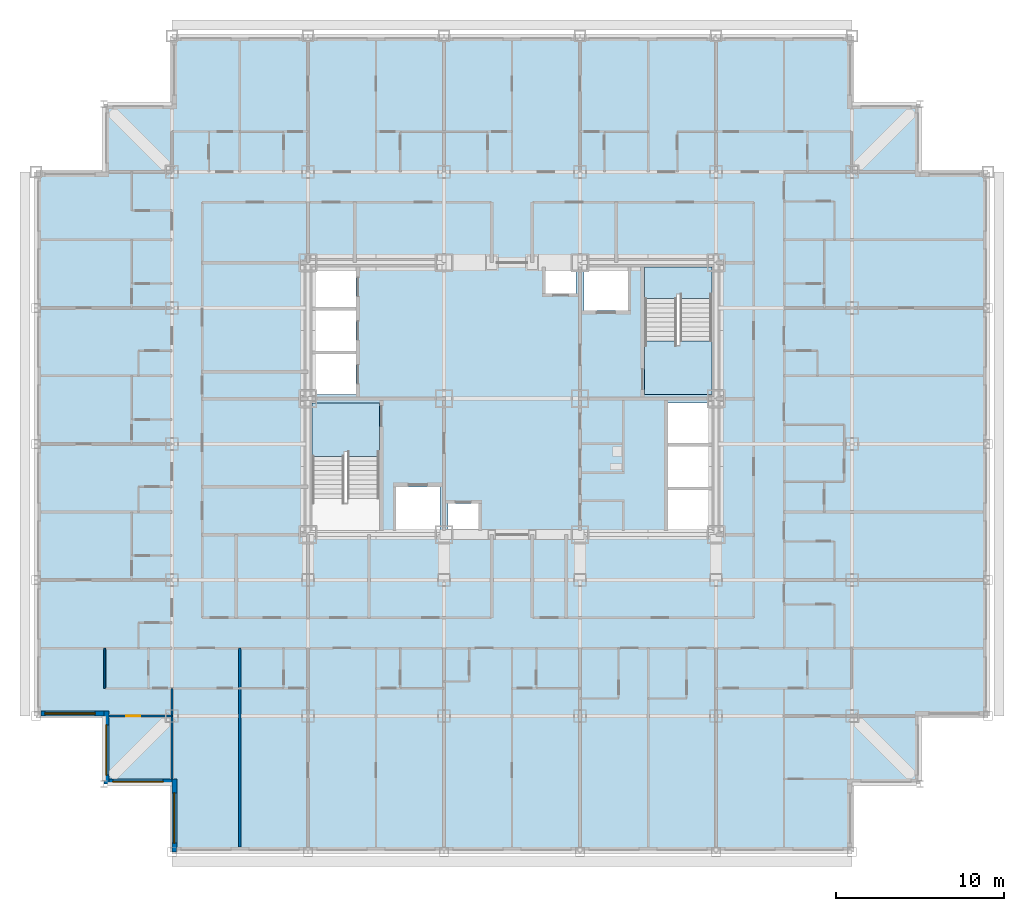
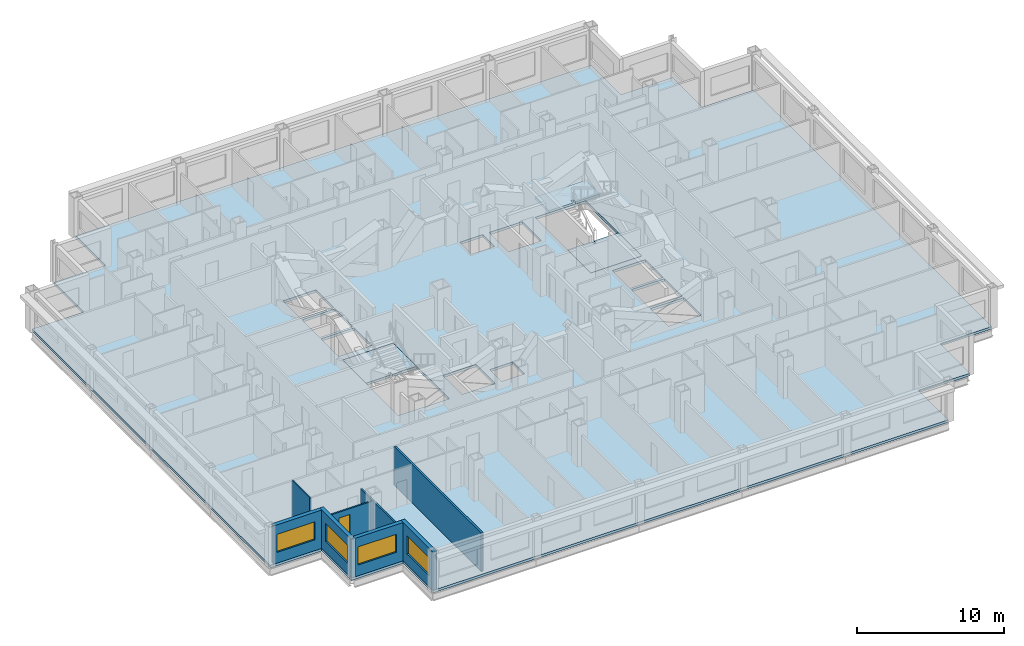
# One storey, part 3 of 15: 8 walls, 4 slabs, 4 windows, 1 door, 5 openings, 2 elements without a shape of their own.
"""IFC4 building model written with IfcOpenShell, lengths in metres."""

from ifc_helpers import new_model, si_unit, direction, frame, frame_2d, origin, place, context, subcontext, project, spatial, polyline, rectangle, outline, extrude, material, layer, layer_set, type_object, element, fill, aggregate, save


model = new_model("IFC4")

# Units and contexts
model_context = context("Model", 3, precision=1e-05, world=origin(), true_north=direction((0.0, 1.0)))
body_context = subcontext(model_context, "Body", "Model", "MODEL_VIEW")
ifc_project = project(units=[si_unit("LENGTHUNIT", "METRE"), si_unit("AREAUNIT", "SQUARE_METRE"), si_unit("VOLUMEUNIT", "CUBIC_METRE"), si_unit("PLANEANGLEUNIT", "RADIAN"), si_unit("MASSUNIT", "GRAM", prefix="KILO")], contexts=[model_context])

# Site, building, storey
site_placement = place(None, origin())
site = spatial("IfcSite", under=ifc_project, at=site_placement, CompositionType="ELEMENT")
building_placement = place(site_placement, origin())
building = spatial("IfcBuilding", under=site, at=building_placement, Name="Kopane Lantern Tower", CompositionType="ELEMENT")
storey_placement = place(building_placement, frame((0.0, 0.0, 140.800048828125)))
storey = spatial("IfcBuildingStorey", under=building, at=storey_placement, Name="L36", CompositionType="ELEMENT", Elevation=140.800048828125)

# Slab
ifc_material_1 = material(Name="Concrete C40/50", Category="concrete")
ifc_layer_1 = layer(ifc_material_1, 0.2099609375)
ifc_layer_set_1 = layer_set([ifc_layer_1], Name="SLAB 210 COMPOSITE")
slab_type_1 = type_object("IfcSlabType", Name="SLAB 210 COMPOSITE", PredefinedType="FLOOR", material=ifc_layer_set_1)
slab_1_placement = place(storey_placement, frame((0.0, 0.0, -0.2099609375)))
element("IfcSlab", 1, at=slab_1_placement, inside=storey, type_object=slab_type_1, Name="Floor slab L36", PredefinedType="FLOOR", context=body_context, shape_type="SweptSolid", body=[
    extrude(outline(polyline([(8.10009765625, 5.39990234375), (48.60009765625, 5.39990234375), (48.60009765625, 9.449951171875), (52.64990234375, 9.449951171875), (52.64990234375, 13.5), (56.699951171875, 13.5), (56.699951171875, 45.89990234375), (52.64990234375, 45.89990234375), (52.64990234375, 49.949951171875), (48.60009765625, 49.949951171875), (48.60009765625, 54.0), (8.10009765625, 54.0), (8.10009765625, 49.949951171875), (4.050048828125, 49.949951171875), (4.050048828125, 45.89990234375), (0.0, 45.89990234375), (0.0, 13.5), (4.050048828125, 13.5), (4.050048828125, 9.449951171875), (8.10009765625, 9.449951171875), (8.10009765625, 5.39990234375)]), holes=[polyline([(16.449951171875, 24.550048828125), (20.449951171875, 24.550048828125), (20.449951171875, 32.14990234375), (16.449951171875, 32.14990234375), (16.449951171875, 24.550048828125)]), polyline([(36.25, 32.64990234375), (40.25, 32.64990234375), (40.25, 40.25), (36.25, 40.25), (36.25, 32.64990234375)]), polyline([(16.449951171875, 32.64990234375), (19.050048828125, 32.64990234375), (19.050048828125, 35.050048828125), (16.449951171875, 35.050048828125), (16.449951171875, 32.64990234375)]), polyline([(16.449951171875, 35.25), (19.050048828125, 35.25), (19.050048828125, 37.64990234375), (16.449951171875, 37.64990234375), (16.449951171875, 35.25)]), polyline([(16.449951171875, 37.85009765625), (19.050048828125, 37.85009765625), (19.050048828125, 40.25), (16.449951171875, 40.25), (16.449951171875, 37.85009765625)]), polyline([(37.64990234375, 24.550048828125), (40.25, 24.550048828125), (40.25, 26.949951171875), (37.64990234375, 26.949951171875), (37.64990234375, 24.550048828125)]), polyline([(37.64990234375, 27.14990234375), (40.25, 27.14990234375), (40.25, 29.550048828125), (37.64990234375, 29.550048828125), (37.64990234375, 27.14990234375)]), polyline([(37.64990234375, 29.75), (40.25, 29.75), (40.25, 32.14990234375), (37.64990234375, 32.14990234375), (37.64990234375, 29.75)]), polyline([(21.449951171875, 24.550048828125), (24.050048828125, 24.550048828125), (24.050048828125, 27.14990234375), (21.449951171875, 27.14990234375), (21.449951171875, 24.550048828125)]), polyline([(32.64990234375, 37.64990234375), (35.25, 37.64990234375), (35.25, 40.25), (32.64990234375, 40.25), (32.64990234375, 37.64990234375)]), polyline([(24.550048828125, 24.550048828125), (26.35009765625, 24.550048828125), (26.35009765625, 26.14990234375), (24.550048828125, 26.14990234375), (24.550048828125, 24.550048828125)]), polyline([(30.35009765625, 38.64990234375), (32.14990234375, 38.64990234375), (32.14990234375, 40.25), (30.35009765625, 40.25), (30.35009765625, 38.64990234375)])]), origin(), (0.0, 0.0, 1.0), 0.2099609375),
])

# Stair, slab
ifc_material_2 = material(Name="Steel S355JR", Category="steel")
stair_type = type_object("IfcStairType", Name="EXIT STAIR 1900 HALF TURN", PredefinedType="HALF_TURN_STAIR", material=ifc_material_2)
stair_1_placement = place(storey_placement, origin())
stair_1 = element("IfcStair", 2, at=stair_1_placement, inside=storey, type_object=stair_type, Name="Exit stair ST1 L36", PredefinedType="HALF_TURN_STAIR")
ifc_material_3 = material(Name="Concrete C40/50", Category="concrete")
ifc_layer_2 = layer(ifc_material_3, 0.199951171875)
ifc_layer_set_2 = layer_set([ifc_layer_2], Name="STAIR LANDING 200")
slab_type_2 = type_object("IfcSlabType", Name="STAIR LANDING 200", PredefinedType="LANDING", material=ifc_layer_set_2)
slab_2_placement = place(storey_placement, frame((0.0, 0.0, -0.199951171875)))
slab_2 = element("IfcSlab", 3, at=slab_2_placement, type_object=slab_type_2, Name="ST1 landing 1", PredefinedType="LANDING", context=body_context, shape_type="SweptSolid", body=[
    extrude(outline(polyline([(18.35009765625, 29.25), (18.550048828125, 29.25), (18.550048828125, 28.969970703125), (20.449951171875, 28.969970703125), (20.449951171875, 32.14990234375), (16.449951171875, 32.14990234375), (16.449951171875, 28.969970703125), (18.35009765625, 28.969970703125), (18.35009765625, 29.25)])), origin(), (0.0, 0.0, 1.0), 0.199951171875),
])
aggregate(stair_1, [slab_2])

# Stair, slabs
stair_2_placement = place(storey_placement, origin())
stair_2 = element("IfcStair", 4, at=stair_2_placement, inside=storey, type_object=stair_type, Name="Exit stair ST2 L36", PredefinedType="HALF_TURN_STAIR")
slab_3_placement = place(storey_placement, frame((0.0, 0.0, -0.199951171875)))
slab_3 = element("IfcSlab", 5, at=slab_3_placement, type_object=slab_type_2, Name="ST2 landing 1", PredefinedType="LANDING", context=body_context, shape_type="SweptSolid", body=[
    extrude(outline(polyline([(40.25, 35.830078125), (38.35009765625, 35.830078125), (38.35009765625, 35.550048828125), (38.14990234375, 35.550048828125), (38.14990234375, 35.830078125), (36.25, 35.830078125), (36.25, 32.64990234375), (40.25, 32.64990234375), (40.25, 35.830078125)])), origin(), (0.0, 0.0, 1.0), 0.199951171875),
])
slab_4_placement = place(storey_placement, frame((0.0, 0.0, 1.5)))
slab_4 = element("IfcSlab", 6, at=slab_4_placement, type_object=slab_type_2, Name="ST2 landing 2", PredefinedType="LANDING", context=body_context, shape_type="SweptSolid", body=[
    extrude(outline(polyline([(38.14990234375, 38.6298828125), (38.35009765625, 38.6298828125), (38.35009765625, 38.35009765625), (40.25, 38.35009765625), (40.25, 40.25), (36.25, 40.25), (36.25, 38.35009765625), (38.14990234375, 38.35009765625), (38.14990234375, 38.6298828125)])), origin(), (0.0, 0.0, 1.0), 0.199951171875),
])
aggregate(stair_2, [slab_3, slab_4])

# Wall
ifc_material_4 = material(Name="Gypsum board on steel studs", Category="steel")
ifc_layer_3 = layer(ifc_material_4, 0.1201171875)
ifc_layer_set_3 = layer_set([ifc_layer_3], Name="APARTMENT INTERNAL WALL 120")
wall_type_1 = type_object("IfcWallType", Name="APARTMENT INTERNAL WALL 120", PredefinedType="PARTITIONING", material=ifc_layer_set_3)
wall_1_placement = place(storey_placement, frame((8.10009765625, 15.14990234375, 0.0), z_axis=(0.0, 0.0, 1.0), x_axis=(0.0, -1.0, 0.0)))
element("IfcWall", 7, at=wall_1_placement, inside=storey, type_object=wall_type_1, Name="Apartment Internal Wall 120 L36", PredefinedType="PARTITIONING", context=body_context, shape_type="SweptSolid", body=[
    extrude(rectangle(XDim=5.39990234375, YDim=0.1201171875, at=frame_2d((2.699951171875, 0.0))), origin(), (0.0, 0.0, 1.0), 2.57763671875),
])

# Wall, opening, door
wall_2_placement = place(storey_placement, frame((8.10009765625, 13.5, 0.0), z_axis=(0.0, 0.0, 1.0), x_axis=(-1.0, 0.0, 0.0)))
wall_2 = element("IfcWall", 8, at=wall_2_placement, inside=storey, type_object=wall_type_1, Name="Apartment Internal Wall 120 L36", PredefinedType="PARTITIONING", context=body_context, shape_type="SweptSolid", body=[
    extrude(rectangle(XDim=3.75, YDim=0.1201171875, at=frame_2d((1.875, 0.0))), origin(), (0.0, 0.0, 1.0), 2.57763671875),
])
opening_1_placement = place(wall_2_placement, frame((1.875, 0.0, 0.0)))
opening_1 = element("IfcOpeningElement", 9, at=opening_1_placement, cuts=wall_2, Name="Opening L36-074", PredefinedType="OPENING", context=body_context, shape_type="SweptSolid", body=[
    extrude(rectangle(XDim=0.85009765625, YDim=2.10009765625, at=frame_2d((0.425048828125, 1.050048828125))), frame((0.0, 0.070068359375, 0.0), z_axis=(0.0, -1.0, 0.0), x_axis=(1.0, 0.0, 0.0)), (0.0, 0.0, 1.0), 0.14013671875),
])
ifc_material_5 = material(Name="Timber door set", Category="wood")
door_type = type_object("IfcDoorType", Name="DOOR D4 850x2100", OperationType="SINGLE_SWING_LEFT", PredefinedType="DOOR", material=ifc_material_5)
door_placement = place(opening_1_placement, origin())
door = element("IfcDoor", 10, at=door_placement, inside=storey, type_object=door_type, Name="Door L36-074", OperationType="SINGLE_SWING_LEFT", OverallHeight=2.10009765625, OverallWidth=0.85009765625, PredefinedType="DOOR", context=body_context, shape_type="SweptSolid", body=[
    extrude(rectangle(XDim=0.85009765625, YDim=2.10009765625, at=frame_2d((0.425048828125, 1.050048828125))), frame((0.0, 0.02490234375, 0.0), z_axis=(0.0, -1.0, 0.0), x_axis=(1.0, 0.0, 0.0)), (0.0, 0.0, 1.0), 0.050048828125),
])
fill(opening_1, door)

# Walls
ifc_material_6 = material(Name="Moisture-resistant board on steel studs", Category="steel")
ifc_layer_4 = layer(ifc_material_6, 0.10009765625)
ifc_layer_set_4 = layer_set([ifc_layer_4], Name="BATHROOM WALL 100")
wall_type_2 = type_object("IfcWallType", Name="BATHROOM WALL 100", PredefinedType="PARTITIONING", material=ifc_layer_set_4)
wall_3_placement = place(storey_placement, frame((4.10009765625, 17.550048828125, 0.0), z_axis=(0.0, 0.0, 1.0), x_axis=(0.0, -1.0, 0.0)))
element("IfcWall", 11, at=wall_3_placement, inside=storey, type_object=wall_type_2, Name="Bathroom Wall 100 L36", PredefinedType="PARTITIONING", context=body_context, shape_type="SweptSolid", body=[
    extrude(rectangle(XDim=2.400146484375, YDim=0.10009765625, at=frame_2d((1.2001953125, 0.0))), origin(), (0.0, 0.0, 1.0), 3.18994140625),
])
ifc_material_7 = material(Name="Gypsum board on steel studs", Category="steel")
ifc_layer_5 = layer(ifc_material_7, 0.14990234375)
ifc_layer_set_5 = layer_set([ifc_layer_5], Name="DEMISING WALL 150 EI 60")
wall_type_3 = type_object("IfcWallType", Name="DEMISING WALL 150 EI 60", PredefinedType="PARTITIONING", material=ifc_layer_set_5)
wall_4_placement = place(storey_placement, frame((12.14990234375, 17.550048828125, 0.0), z_axis=(0.0, 0.0, 1.0), x_axis=(0.0, -1.0, 0.0)))
element("IfcWall", 12, at=wall_4_placement, inside=storey, type_object=wall_type_3, Name="Demising Wall 150 Ei 60 L36", PredefinedType="PARTITIONING", context=body_context, shape_type="SweptSolid", body=[
    extrude(rectangle(XDim=11.85009765625, YDim=0.14990234375, at=frame_2d((5.925048828125, 0.0))), origin(), (0.0, 0.0, 1.0), 3.18994140625),
])

# Wall, opening, window
ifc_material_8 = material(Name="Terracotta rainscreen on light steel framing", Category="masonry")
ifc_layer_6 = layer(ifc_material_8, 0.300048828125)
ifc_layer_set_6 = layer_set([ifc_layer_6], Name="EXTERNAL WALL EW1 300 TERRACOTTA")
wall_type_4 = type_object("IfcWallType", Name="EXTERNAL WALL EW1 300 TERRACOTTA", PredefinedType="SOLIDWALL", material=ifc_layer_set_6)
wall_5_placement = place(storey_placement, frame((0.300048828125, 13.64990234375, 0.0), z_axis=(0.0, 0.0, 1.0), x_axis=(1.0, 0.0, 0.0)))
wall_5 = element("IfcWall", 13, at=wall_5_placement, inside=storey, type_object=wall_type_4, Name="External wall S L36", PredefinedType="SOLIDWALL", context=body_context, shape_type="SweptSolid", body=[
    extrude(rectangle(XDim=3.75, YDim=0.300048828125, at=frame_2d((1.875, 0.0))), origin(), (0.0, 0.0, 1.0), 3.18994140625),
])
opening_2_placement = place(wall_5_placement, frame((0.22509765625, 0.0, 0.89990234375)))
opening_2 = element("IfcOpeningElement", 14, at=opening_2_placement, cuts=wall_5, Name="Opening WR300150", PredefinedType="OPENING", context=body_context, shape_type="SweptSolid", body=[
    extrude(rectangle(XDim=3.0, YDim=1.5, at=frame_2d((1.5, 0.75))), frame((0.0, 0.159912109375, 0.0), z_axis=(0.0, -1.0, 0.0), x_axis=(1.0, 0.0, 0.0)), (0.0, 0.0, 1.0), 0.320068359375),
])
ifc_material_9 = material(Name="Aluminium and clear glass", Category="aluminium")
window_type = type_object("IfcWindowType", Name="RIBBON WINDOW WR300150 3000x1500", PartitioningType="SINGLE_PANEL", PredefinedType="WINDOW", material=ifc_material_9)
window_1_placement = place(opening_2_placement, origin())
window_1 = element("IfcWindow", 15, at=window_1_placement, inside=storey, type_object=window_type, Name="Window S L36", OverallHeight=1.5, OverallWidth=3.0, PartitioningType="SINGLE_PANEL", PredefinedType="WINDOW", context=body_context, shape_type="SweptSolid", body=[
    extrude(rectangle(XDim=3.0, YDim=1.5, at=frame_2d((1.5, 0.75))), frame((0.0, 0.030029296875, 0.0), z_axis=(0.0, -1.0, 0.0), x_axis=(1.0, 0.0, 0.0)), (0.0, 0.0, 1.0), 0.06005859375),
])
fill(opening_2, window_1)

wall_6_placement = place(storey_placement, frame((4.199951171875, 13.800048828125, 0.0), z_axis=(0.0, 0.0, 1.0), x_axis=(0.0, -1.0, 0.0)))
wall_6 = element("IfcWall", 16, at=wall_6_placement, inside=storey, type_object=wall_type_4, Name="External wall W L36", PredefinedType="SOLIDWALL", context=body_context, shape_type="SweptSolid", body=[
    extrude(rectangle(XDim=4.35009765625, YDim=0.300048828125, at=frame_2d((2.175048828125, 0.0))), origin(), (0.0, 0.0, 1.0), 3.18994140625),
])
opening_3_placement = place(wall_6_placement, frame((0.824951171875, 0.0, 0.89990234375)))
opening_3 = element("IfcOpeningElement", 17, at=opening_3_placement, cuts=wall_6, Name="Opening WR300150", PredefinedType="OPENING", context=body_context, shape_type="SweptSolid", body=[
    extrude(rectangle(XDim=3.0, YDim=1.5, at=frame_2d((1.5, 0.75))), frame((0.0, 0.159912109375, 0.0), z_axis=(0.0, -1.0, 0.0), x_axis=(1.0, 0.0, 0.0)), (0.0, 0.0, 1.0), 0.320068359375),
])
window_2_placement = place(opening_3_placement, origin())
window_2 = element("IfcWindow", 18, at=window_2_placement, inside=storey, type_object=window_type, Name="Window W L36", OverallHeight=1.5, OverallWidth=3.0, PartitioningType="SINGLE_PANEL", PredefinedType="WINDOW", context=body_context, shape_type="SweptSolid", body=[
    extrude(rectangle(XDim=3.0, YDim=1.5, at=frame_2d((1.5, 0.75))), frame((0.0, 0.030029296875, 0.0), z_axis=(0.0, -1.0, 0.0), x_axis=(1.0, 0.0, 0.0)), (0.0, 0.0, 1.0), 0.06005859375),
])
fill(opening_3, window_2)

wall_7_placement = place(storey_placement, frame((4.35009765625, 9.60009765625, 0.0), z_axis=(0.0, 0.0, 1.0), x_axis=(1.0, 0.0, 0.0)))
wall_7 = element("IfcWall", 19, at=wall_7_placement, inside=storey, type_object=wall_type_4, Name="External wall S L36", PredefinedType="SOLIDWALL", context=body_context, shape_type="SweptSolid", body=[
    extrude(rectangle(XDim=3.75, YDim=0.300048828125, at=frame_2d((1.875, 0.0))), origin(), (0.0, 0.0, 1.0), 3.18994140625),
])
opening_4_placement = place(wall_7_placement, frame((0.22509765625, 0.0, 0.89990234375)))
opening_4 = element("IfcOpeningElement", 20, at=opening_4_placement, cuts=wall_7, Name="Opening WR300150", PredefinedType="OPENING", context=body_context, shape_type="SweptSolid", body=[
    extrude(rectangle(XDim=3.0, YDim=1.5, at=frame_2d((1.5, 0.75))), frame((0.0, 0.159912109375, 0.0), z_axis=(0.0, -1.0, 0.0), x_axis=(1.0, 0.0, 0.0)), (0.0, 0.0, 1.0), 0.320068359375),
])
window_3_placement = place(opening_4_placement, origin())
window_3 = element("IfcWindow", 21, at=window_3_placement, inside=storey, type_object=window_type, Name="Window S L36", OverallHeight=1.5, OverallWidth=3.0, PartitioningType="SINGLE_PANEL", PredefinedType="WINDOW", context=body_context, shape_type="SweptSolid", body=[
    extrude(rectangle(XDim=3.0, YDim=1.5, at=frame_2d((1.5, 0.75))), frame((0.0, 0.030029296875, 0.0), z_axis=(0.0, -1.0, 0.0), x_axis=(1.0, 0.0, 0.0)), (0.0, 0.0, 1.0), 0.06005859375),
])
fill(opening_4, window_3)

wall_8_placement = place(storey_placement, frame((8.25, 9.75, 0.0), z_axis=(0.0, 0.0, 1.0), x_axis=(0.0, -1.0, 0.0)))
wall_8 = element("IfcWall", 22, at=wall_8_placement, inside=storey, type_object=wall_type_4, Name="External wall W L36", PredefinedType="SOLIDWALL", context=body_context, shape_type="SweptSolid", body=[
    extrude(rectangle(XDim=4.35009765625, YDim=0.300048828125, at=frame_2d((2.175048828125, 0.0))), origin(), (0.0, 0.0, 1.0), 3.18994140625),
])
opening_5_placement = place(wall_8_placement, frame((0.824951171875, 0.0, 0.89990234375)))
opening_5 = element("IfcOpeningElement", 23, at=opening_5_placement, cuts=wall_8, Name="Opening WR300150", PredefinedType="OPENING", context=body_context, shape_type="SweptSolid", body=[
    extrude(rectangle(XDim=3.0, YDim=1.5, at=frame_2d((1.5, 0.75))), frame((0.0, 0.159912109375, 0.0), z_axis=(0.0, -1.0, 0.0), x_axis=(1.0, 0.0, 0.0)), (0.0, 0.0, 1.0), 0.320068359375),
])
window_4_placement = place(opening_5_placement, origin())
window_4 = element("IfcWindow", 24, at=window_4_placement, inside=storey, type_object=window_type, Name="Window W L36", OverallHeight=1.5, OverallWidth=3.0, PartitioningType="SINGLE_PANEL", PredefinedType="WINDOW", context=body_context, shape_type="SweptSolid", body=[
    extrude(rectangle(XDim=3.0, YDim=1.5, at=frame_2d((1.5, 0.75))), frame((0.0, 0.030029296875, 0.0), z_axis=(0.0, -1.0, 0.0), x_axis=(1.0, 0.0, 0.0)), (0.0, 0.0, 1.0), 0.06005859375),
])
fill(opening_5, window_4)

save(model, "model.ifc")
